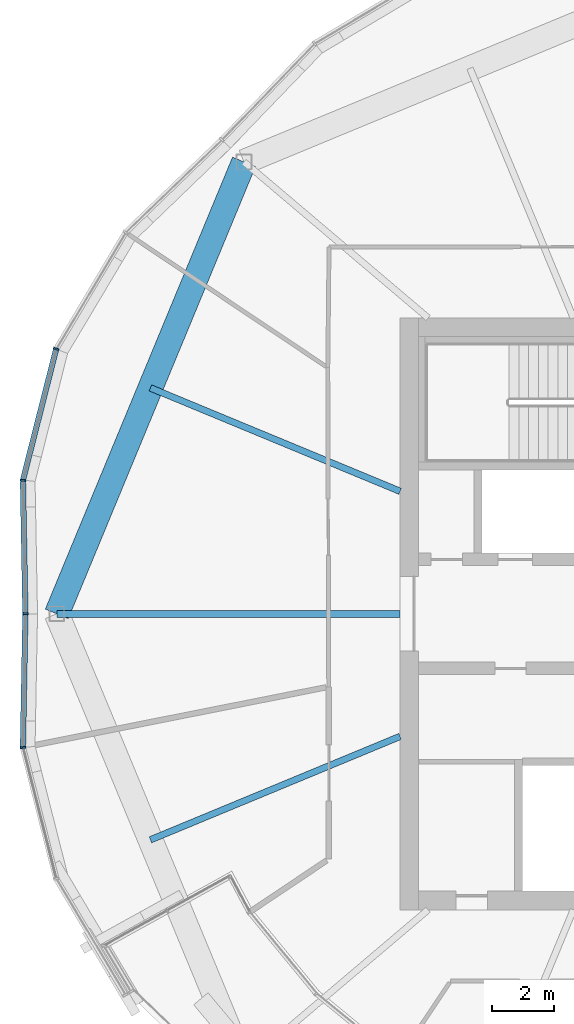
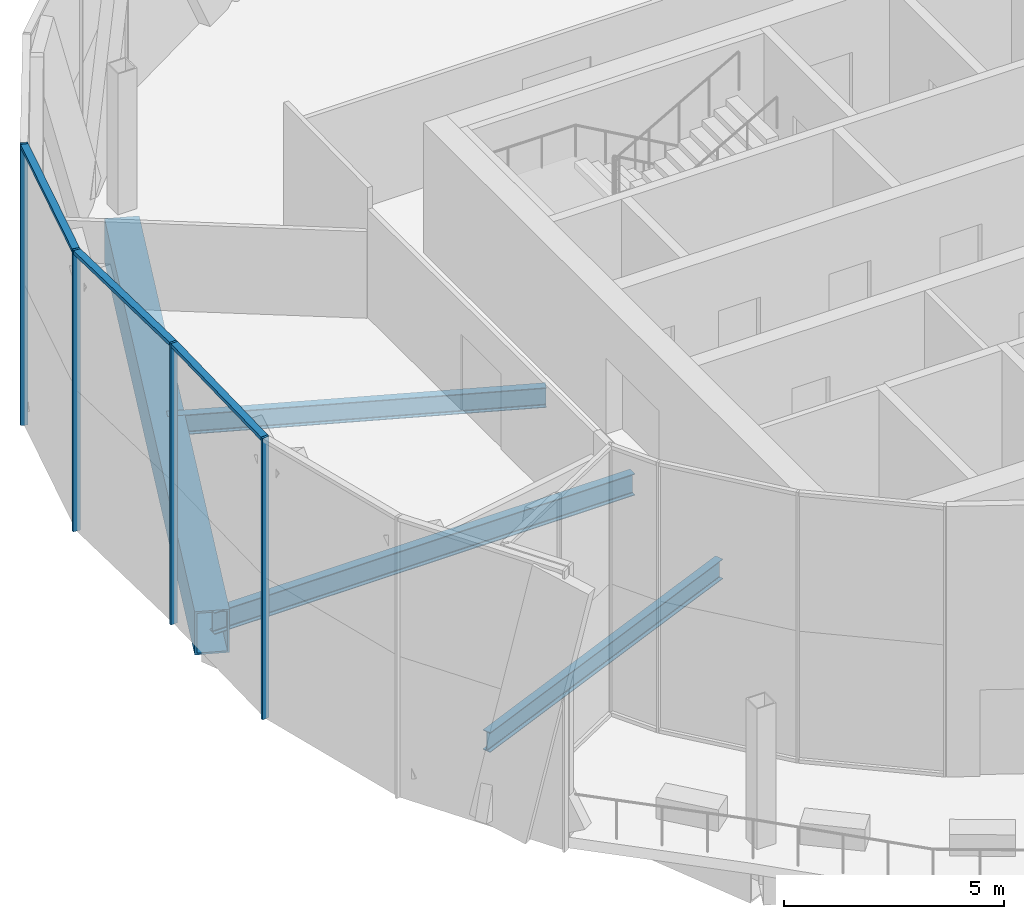
# One storey, part 6 of 27: 7 members, 4 beams, 2 elements without a shape of their own.
"""IFC4 building model written with IfcOpenShell, lengths in metres."""

import ifcopenshell
import ifcopenshell.guid

model = None  # the IFC model being written
_history = None  # IfcOwnerHistory: only IFC2X3 demands one
_inside = {}  # id of a spatial element -> (the spatial element, [elements in it])
_under = {}  # id of a project, library or spatial element -> (it, [spatial elements below it])
_declared = {}  # id of a project -> (the project, [libraries it declares])
_typed = {}  # id of a type object -> (the type object, [elements of that type])
_made_of = {}  # id of a material, layer set ... -> (it, [elements and type objects made of it])


def new_model(schema):
    """Start an empty IFC model of exactly this schema.

    Asked for "IFC4X3", IfcOpenShell would pick the latest addendum, in which some entities
    have other attributes; the version numbers below select the first issue.
    IFC2X3 requires an IfcOwnerHistory on every rooted entity: one is made here for all.
    """
    global model, _history
    if schema == "IFC4X3":
        model = ifcopenshell.file(schema_version=(4, 3, 0, 0))
    else:
        model = ifcopenshell.file(schema=schema)
    _inside.clear()
    _under.clear()
    _declared.clear()
    _typed.clear()
    _made_of.clear()
    _history = None
    if model.schema == "IFC2X3":
        org = make("IfcOrganization", Name="unknown")
        user = make(
            "IfcPersonAndOrganization",
            ThePerson=make("IfcPerson", FamilyName="unknown"),
            TheOrganization=org,
        )
        app = make(
            "IfcApplication",
            ApplicationDeveloper=org,
            Version="unknown",
            ApplicationFullName="unknown",
            ApplicationIdentifier="unknown",
        )
        _history = make(
            "IfcOwnerHistory",
            OwningUser=user,
            OwningApplication=app,
            ChangeAction="ADDED",
            CreationDate=0,
        )
    return model


def make(cls, **values):
    """One entity of the class cls with the attributes given. An attribute that is None is left unset."""
    return model.create_entity(
        cls, **{name: value for name, value in values.items() if value is not None}
    )


def rooted(cls, **values):
    """An entity with a GlobalId (a new one), such as an element, a storey or a relation."""
    return make(cls, GlobalId=ifcopenshell.guid.new(), OwnerHistory=_history, **values)


def si_unit(unit_type, name, prefix=None):
    """IfcSIUnit, for example si_unit("LENGTHUNIT", "METRE", prefix="MILLI")."""
    return make("IfcSIUnit", UnitType=unit_type, Prefix=prefix, Name=name)


def assignment(units):
    """IfcUnitAssignment: the units of a project."""
    return None if units is None else make("IfcUnitAssignment", Units=units)


def point(xyz):
    """IfcCartesianPoint."""
    return None if xyz is None else make("IfcCartesianPoint", Coordinates=xyz)


def direction(xyz):
    """IfcDirection."""
    return None if xyz is None else make("IfcDirection", DirectionRatios=xyz)


def frame(location, z_axis=None, x_axis=None):
    """IfcAxis2Placement3D, a coordinate frame: its origin and axes. An axis left out is left unset."""
    return make(
        "IfcAxis2Placement3D",
        Location=point(location),
        Axis=direction(z_axis),
        RefDirection=direction(x_axis),
    )


def frame_2d(location, x_axis=None):
    """IfcAxis2Placement2D, a coordinate frame in the plane: its origin and x axis."""
    return make(
        "IfcAxis2Placement2D", Location=point(location), RefDirection=direction(x_axis)
    )


def origin():
    """The frame at (0, 0, 0) with its axes left unset."""
    return frame((0.0, 0.0, 0.0))


def origin_2d():
    """The frame at (0, 0) in the plane with its x axis left unset."""
    return frame_2d((0.0, 0.0))


def place(relative_to, where):
    """IfcLocalPlacement: puts the frame where relative to a parent placement (None: the world)."""
    return make(
        "IfcLocalPlacement", PlacementRelTo=relative_to, RelativePlacement=where
    )


def context(
    kind, dimensions, precision=None, world=None, true_north=None, identifier=None
):
    """IfcGeometricRepresentationContext, for example the 3D "Model" context."""
    return make(
        "IfcGeometricRepresentationContext",
        ContextIdentifier=identifier,
        ContextType=kind,
        CoordinateSpaceDimension=dimensions,
        Precision=precision,
        WorldCoordinateSystem=world,
        TrueNorth=true_north,
    )


def subcontext(parent, identifier, kind, view, scale=None):
    """IfcGeometricRepresentationSubContext, for example "Body" below "Model"."""
    return make(
        "IfcGeometricRepresentationSubContext",
        ContextIdentifier=identifier,
        ContextType=kind,
        ParentContext=parent,
        TargetScale=scale,
        TargetView=view,
    )


def project(units=None, contexts=None):
    """IfcProject with its units and contexts."""
    return rooted(
        "IfcProject",
        Name="project",
        RepresentationContexts=contexts,
        UnitsInContext=assignment(units),
    )


def spatial(cls, under=None, at=None, **own):
    """A site, building, storey or space (cls), placed at a placement, below another one or the project."""
    s = rooted(cls, ObjectPlacement=at, **own)
    if under is not None:
        _under.setdefault(under.id(), (under, []))[1].append(s)
    return s


def profile(cls, at=None, kind="AREA", **sizes):
    """A parametric profile (cls). Its sizes go by their IFC names, for example OverallWidth=200.0."""
    return make(cls, ProfileType=kind, Position=at, **sizes)


def rectangle(**sizes):
    """IfcRectangleProfileDef."""
    return profile("IfcRectangleProfileDef", **sizes)


def hollow_rectangle(**sizes):
    """IfcRectangleHollowProfileDef."""
    return profile("IfcRectangleHollowProfileDef", **sizes)


def i_section(**sizes):
    """IfcIShapeProfileDef."""
    return profile("IfcIShapeProfileDef", **sizes)


def extrude(swept, where, along, depth):
    """IfcExtrudedAreaSolid: the profile swept, set in the frame where, extruded along a direction by depth."""
    return make(
        "IfcExtrudedAreaSolid",
        SweptArea=swept,
        Position=where,
        ExtrudedDirection=direction(along),
        Depth=depth,
    )


def shape(context_of_items, identifier, shape_type, items):
    """IfcShapeRepresentation: the items that make up one representation, for example the "Body"."""
    return make(
        "IfcShapeRepresentation",
        ContextOfItems=context_of_items,
        RepresentationIdentifier=identifier,
        RepresentationType=shape_type,
        Items=items,
    )


def material(Name=None, Category=None):
    """IfcMaterial."""
    return make("IfcMaterial", Name=Name, Category=Category)


def material_profile(
    of_material, cross_section, Name=None, Category=None, Priority=None
):
    """IfcMaterialProfile: a cross section and its material."""
    return make(
        "IfcMaterialProfile",
        Name=Name,
        Material=of_material,
        Profile=cross_section,
        Priority=Priority,
        Category=Category,
    )


def profile_set(profiles, Name=None, composite=None):
    """IfcMaterialProfileSet."""
    return make(
        "IfcMaterialProfileSet",
        Name=Name,
        MaterialProfiles=profiles,
        CompositeProfile=composite,
    )


def made_of(thing, what):
    """Note that an element or type object is made of a material, layer set ...; save() writes the relation."""
    if what is not None:
        _made_of.setdefault(what.id(), (what, []))[1].append(thing)
    return thing


def type_object(cls, material=None, **own):
    """A type object (cls), such as IfcWallType, which elements share."""
    return made_of(rooted(cls, **own), material)


def element(
    cls,
    number,
    at=None,
    inside=None,
    cuts=None,
    type_object=None,
    material=None,
    context=None,
    identifier="Body",
    shape_type=None,
    held_by="IfcProductDefinitionShape",
    body=None,
    shapes=None,
    **own,
):
    """One element of the class cls, such as IfcWall. Its Tag is "e" and its number.

    at: its placement. inside: the storey or other place that contains it. cuts: it is an
    opening in that element (IfcRelVoidsElement). A single representation is given by context,
    identifier, shape_type and body (its items); several are given by shapes. held_by: the class
    of the entity that holds the representations. save() writes the other relations.
    """
    e = rooted(cls, Tag="e%d" % number, ObjectPlacement=at, **own)
    if body is not None:
        shapes = [shape(context, identifier, shape_type, body)]
    if shapes is not None:
        e.Representation = make(held_by, Representations=shapes)
    if inside is not None:
        _inside.setdefault(inside.id(), (inside, []))[1].append(e)
    if cuts is not None:
        rooted(
            "IfcRelVoidsElement", RelatingBuildingElement=cuts, RelatedOpeningElement=e
        )
    if type_object is not None:
        _typed.setdefault(type_object.id(), (type_object, []))[1].append(e)
    return made_of(e, material)


def aggregate(whole, parts):
    """IfcRelAggregates: a whole, such as a stair, and the parts it consists of."""
    return rooted("IfcRelAggregates", RelatingObject=whole, RelatedObjects=parts)


def save(model, path):
    """Write the relations noted so far, then the file.

    IfcRelAggregates (storeys below a building ...), IfcRelContainedInSpatialStructure (elements
    in a storey), IfcRelDefinesByType, IfcRelAssociatesMaterial and IfcRelDeclares: one each for
    every whole, place, type object, material and project.
    """
    for whole, parts in _under.values():
        aggregate(whole, parts)
    for where, things in _inside.values():
        rooted(
            "IfcRelContainedInSpatialStructure",
            RelatedElements=things,
            RelatingStructure=where,
        )
    for kind, things in _typed.values():
        rooted("IfcRelDefinesByType", RelatedObjects=things, RelatingType=kind)
    for what, things in _made_of.values():
        rooted("IfcRelAssociatesMaterial", RelatedObjects=things, RelatingMaterial=what)
    for by, libraries in _declared.values():
        rooted("IfcRelDeclares", RelatingContext=by, RelatedDefinitions=libraries)
    model.write(path)


model = new_model("IFC4")

# Units and contexts
model_context = context("Model", 3, precision=1e-05, world=origin(), true_north=direction((0.0, 1.0)))
body_context = subcontext(model_context, "Body", "Model", "MODEL_VIEW")
ifc_project = project(units=[si_unit("LENGTHUNIT", "METRE"), si_unit("AREAUNIT", "SQUARE_METRE"), si_unit("VOLUMEUNIT", "CUBIC_METRE"), si_unit("PLANEANGLEUNIT", "RADIAN"), si_unit("MASSUNIT", "GRAM", prefix="KILO")], contexts=[model_context])

# Site, building, storey
site_placement = place(None, origin())
site = spatial("IfcSite", under=ifc_project, at=site_placement, CompositionType="ELEMENT")
building_placement = place(site_placement, origin())
building = spatial("IfcBuilding", under=site, at=building_placement, Name="Ogive Gate Towers", CompositionType="ELEMENT")
storey_placement = place(building_placement, frame((0.0, 0.0, 189.0)))
storey = spatial("IfcBuildingStorey", under=building, at=storey_placement, Name="L45", CompositionType="ELEMENT", Elevation=189.0)

# Beams
ifc_material_1 = material(Name="Steel SM460", Category="steel")
ifc_material_profile_1 = material_profile(ifc_material_1, hollow_rectangle(XDim=0.800048828125, YDim=1.199951171875, WallThickness=0.050048828125, at=origin_2d()), Name="BX 1200x800x50")
ifc_profile_set_1 = profile_set([ifc_material_profile_1], Name="Steel SM460")
beam_type_1 = type_object("IfcBeamType", Name="Edge girder BX 1200x800x50", PredefinedType="BEAM", material=ifc_profile_set_1)
beam_1_placement = place(storey_placement, frame((-50.509765625, 14.509765625, -0.89990234375), z_axis=(-0.38268953008, -0.923877006731, 0.0), x_axis=(0.923877006731, -0.38268953008, 0.0)))
element("IfcBeam", 1, at=beam_1_placement, inside=storey, type_object=beam_type_1, Name="T1/L45/SBM023", PredefinedType="BEAM", context=body_context, shape_type="SweptSolid", body=[
    extrude(hollow_rectangle(XDim=0.800048828125, YDim=1.199951171875, WallThickness=0.050048828125, at=origin_2d()), origin(), (0.0, 0.0, 1.0), 15.705322265625),
])
ifc_material_2 = material(Name="Steel SM355", Category="steel")
ifc_material_profile_2 = material_profile(ifc_material_2, i_section(OverallWidth=0.2099609375, OverallDepth=0.550048828125, WebThickness=0.010986328125, FlangeThickness=0.01708984375, FilletRadius=0.02392578125, at=origin_2d()), Name="IPE 550")
ifc_profile_set_2 = profile_set([ifc_material_profile_2], Name="Steel SM355")
beam_type_2 = type_object("IfcBeamType", Name="Radial floor beam IPE 550", PredefinedType="BEAM", material=ifc_profile_set_2)
for number, where, z_axis, x_axis, name in (
    (2, (-45.5, 3.93505859375, -0.574951171875), (-0.92388169199, 0.382678218882, 0.0), (-0.382678218882, -0.92388169199, 0.0), "T1/L45/SBM014"),
    (3, (-45.5, -3.93505859375, -0.574951171875), (-0.92388169199, -0.382678218882, 0.0), (0.382678218882, -0.92388169199, 0.0), "T1/L45/SBM016"),
):
    element("IfcBeam", number, at=place(storey_placement, frame(where, z_axis=z_axis, x_axis=x_axis)), inside=storey, type_object=beam_type_2, Name=name, PredefinedType="BEAM", context=body_context, shape_type="SweptSolid", body=[
        extrude(i_section(OverallWidth=0.2099609375, OverallDepth=0.550048828125, WebThickness=0.010986328125, FlangeThickness=0.01708984375, FilletRadius=0.02392578125, at=origin_2d()), origin(), (0.0, 0.0, 1.0), 8.67529296875),
    ])
ifc_material_profile_3 = material_profile(ifc_material_2, i_section(OverallWidth=0.219970703125, OverallDepth=0.60009765625, WebThickness=0.011962890625, FlangeThickness=0.01904296875, FilletRadius=0.02392578125, at=origin_2d()), Name="IPE 600")
ifc_profile_set_3 = profile_set([ifc_material_profile_3], Name="Steel SM355")
beam_type_3 = type_object("IfcBeamType", Name="Radial floor beam IPE 600", PredefinedType="BEAM", material=ifc_profile_set_3)
beam_2_placement = place(storey_placement, frame((-45.5, 0.0, -0.60009765625), z_axis=(-1.0, 0.0, 0.0), x_axis=(0.0, -1.0, 0.0)))
element("IfcBeam", 4, at=beam_2_placement, inside=storey, type_object=beam_type_3, Name="T1/L45/SBM015", PredefinedType="BEAM", context=body_context, shape_type="SweptSolid", body=[
    extrude(i_section(OverallWidth=0.219970703125, OverallDepth=0.60009765625, WebThickness=0.011962890625, FlangeThickness=0.01904296875, FilletRadius=0.02392578125, at=origin_2d()), origin(), (0.0, 0.0, 1.0), 11.02001953125),
])

# Curtain wall, members
ifc_material_3 = material(Name="Pale metal aluminium", Category="aluminium")
curtain_wall_type = type_object("IfcCurtainWallType", Name="Tower unitised wall, high zone", PredefinedType="NOTDEFINED", material=ifc_material_3)
curtain_wall_1_placement = place(storey_placement, origin())
curtain_wall_1 = element("IfcCurtainWall", 5, at=curtain_wall_1_placement, inside=storey, type_object=curtain_wall_type, Name="CW2 T1 ECW07", PredefinedType="NOTDEFINED")
ifc_material_profile_4 = material_profile(ifc_material_3, rectangle(XDim=0.179931640625, YDim=0.06005859375, at=origin_2d()), Name="60 x 180 aluminium box")
ifc_profile_set_4 = profile_set([ifc_material_profile_4], Name="Pale metal aluminium")
member_type_1 = type_object("IfcMemberType", Name="Tower unitised wall, high zone mullion 60 x 180", PredefinedType="MULLION", material=ifc_profile_set_4)
member_1_placement = place(storey_placement, frame((-57.530029296875, -0.000244140625, -0.300048828125), z_axis=(0.0, 0.0, 1.0), x_axis=(0.999830481388, 0.018412183135, 0.0)))
member_1 = element("IfcMember", 6, at=member_1_placement, type_object=member_type_1, Name="CW2 mullion", PredefinedType="MULLION", context=body_context, shape_type="SweptSolid", body=[
    extrude(rectangle(XDim=0.179931640625, YDim=0.06005859375, at=origin_2d()), origin(), (0.0, 0.0, 1.0), 7.800048828125),
])
member_2_placement = place(storey_placement, frame((-57.60888671875, 4.2890625, -0.300048828125), z_axis=(0.0, 0.0, 1.0), x_axis=(0.993394813642, -0.114746434496, 0.0)))
member_2 = element("IfcMember", 7, at=member_2_placement, type_object=member_type_1, Name="CW2 mullion", PredefinedType="MULLION", context=body_context, shape_type="SweptSolid", body=[
    extrude(rectangle(XDim=0.179931640625, YDim=0.06005859375, at=origin_2d()), origin(), (0.0, 0.0, 1.0), 7.800048828125),
])
member_3_placement = place(storey_placement, frame((-56.538818359375, 8.50732421875, -0.300048828125), z_axis=(0.0, 0.0, 1.0), x_axis=(0.923879532511, -0.382683432365, 0.0)))
member_3 = element("IfcMember", 8, at=member_3_placement, type_object=member_type_1, Name="CW2 mullion", PredefinedType="MULLION", context=body_context, shape_type="SweptSolid", body=[
    extrude(rectangle(XDim=0.179931640625, YDim=0.06005859375, at=origin_2d()), origin(), (0.0, 0.0, 1.0), 7.800048828125),
])

# Curtain wall, member
curtain_wall_2_placement = place(storey_placement, origin())
curtain_wall_2 = element("IfcCurtainWall", 9, at=curtain_wall_2_placement, inside=storey, type_object=curtain_wall_type, Name="CW2 T1 ECW08", PredefinedType="NOTDEFINED")
member_4_placement = place(storey_placement, frame((-57.60888671875, -4.2890625, -0.300048828125), z_axis=(0.0, 0.0, 1.0), x_axis=(0.993394813642, 0.114746434496, 0.0)))
member_4 = element("IfcMember", 10, at=member_4_placement, type_object=member_type_1, Name="CW2 mullion", PredefinedType="MULLION", context=body_context, shape_type="SweptSolid", body=[
    extrude(rectangle(XDim=0.179931640625, YDim=0.06005859375, at=origin_2d()), origin(), (0.0, 0.0, 1.0), 7.800048828125),
])

# Member
ifc_material_profile_5 = material_profile(ifc_material_3, rectangle(XDim=0.179931640625, YDim=0.10009765625, at=origin_2d()), Name="100 x 180 aluminium box")
ifc_profile_set_5 = profile_set([ifc_material_profile_5], Name="Pale metal aluminium")
member_type_2 = type_object("IfcMemberType", Name="Tower unitised wall, high zone transom 100 x 180", PredefinedType="USERDEFINED", material=ifc_profile_set_5)
member_5_placement = place(storey_placement, frame((-57.530517578125, 0.02978515625, 7.449951171875), z_axis=(-0.018417016697, 0.999830392365, 0.0), x_axis=(-0.999830392365, -0.018417016697, 0.0)))
member_5 = element("IfcMember", 11, at=member_5_placement, type_object=member_type_2, Name="CW2 transom", ObjectType="TRANSOM", PredefinedType="USERDEFINED", context=body_context, shape_type="SweptSolid", body=[
    extrude(rectangle(XDim=0.179931640625, YDim=0.10009765625, at=origin_2d()), origin(), (0.0, 0.0, 1.0), 4.228759765625),
])

member_6_placement = place(storey_placement, frame((-57.601318359375, 4.319580078125, 7.449951171875), z_axis=(0.245895816575, 0.969296263993, 0.0), x_axis=(-0.969296263993, 0.245895816575, 0.0)))
member_6 = element("IfcMember", 12, at=member_6_placement, type_object=member_type_2, Name="CW2 transom", ObjectType="TRANSOM", PredefinedType="USERDEFINED", context=body_context, shape_type="SweptSolid", body=[
    extrude(rectangle(XDim=0.179931640625, YDim=0.10009765625, at=origin_2d()), origin(), (0.0, 0.0, 1.0), 4.2890625),
])

aggregate(curtain_wall_1, [member_1, member_2, member_5, member_3, member_6])

member_7_placement = place(storey_placement, frame((-57.6083984375, -4.2578125, 7.449951171875), z_axis=(0.018417016697, 0.999830392365, 0.0), x_axis=(-0.999830392365, 0.018417016697, 0.0)))
member_7 = element("IfcMember", 13, at=member_7_placement, type_object=member_type_2, Name="CW2 transom", ObjectType="TRANSOM", PredefinedType="USERDEFINED", context=body_context, shape_type="SweptSolid", body=[
    extrude(rectangle(XDim=0.179931640625, YDim=0.10009765625, at=origin_2d()), origin(), (0.0, 0.0, 1.0), 4.228759765625),
])

aggregate(curtain_wall_2, [member_4, member_7])

save(model, "model.ifc")
